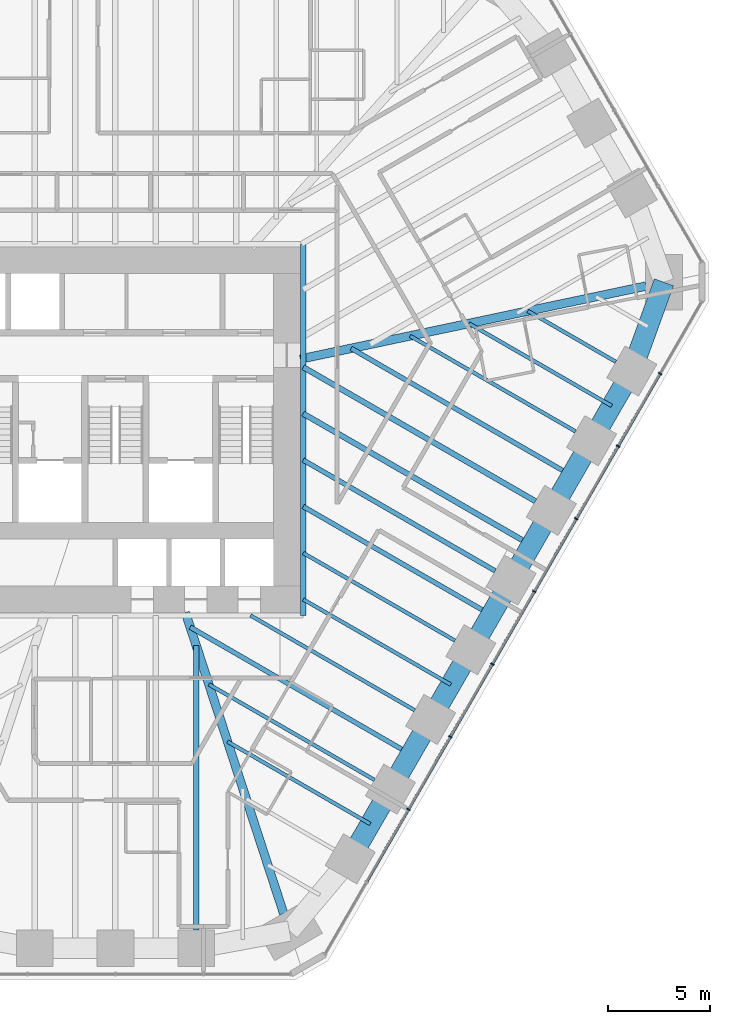
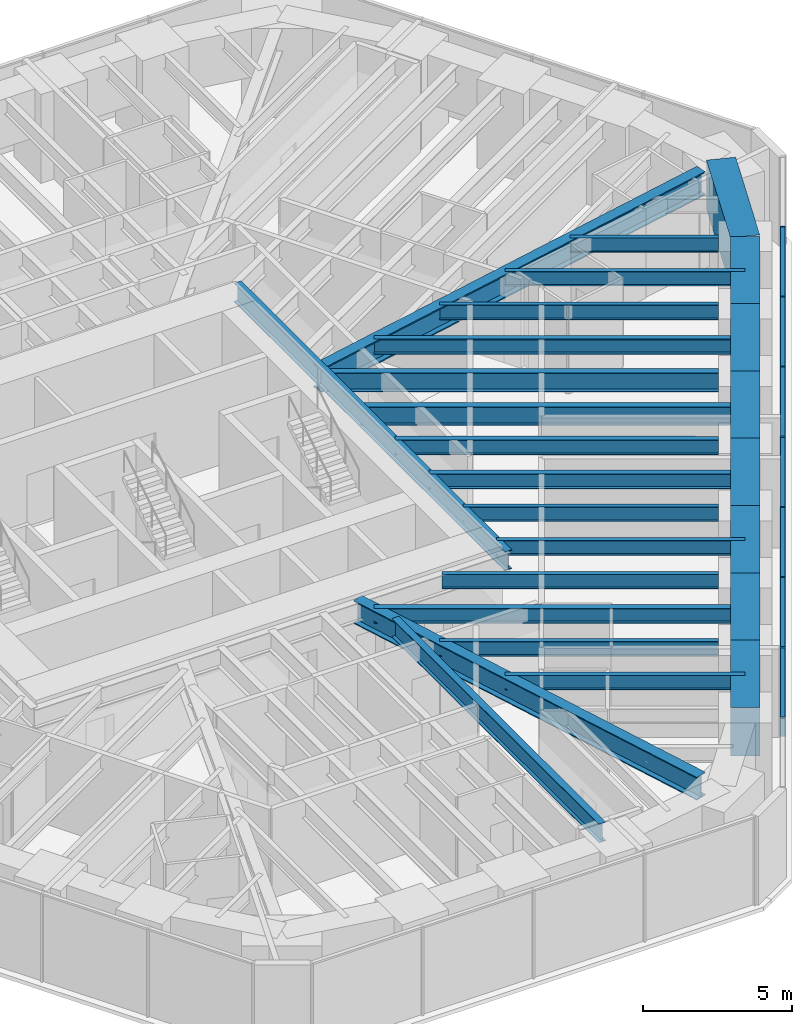
# One storey, part 5 of 17: 26 beams, 14 members, 1 element without a shape of its own.
"""IFC4 building model written with IfcOpenShell, lengths in metres."""

from ifc_helpers import new_model, si_unit, direction, frame, origin, origin_2d, place, context, subcontext, project, spatial, rectangle, i_section, extrude, material, material_profile, profile_set, type_object, element, aggregate, save


model = new_model("IFC4")

# Units and contexts
model_context = context("Model", 3, precision=1e-05, world=origin(), true_north=direction((0.0, 1.0)))
body_context = subcontext(model_context, "Body", "Model", "MODEL_VIEW")
ifc_project = project(units=[si_unit("LENGTHUNIT", "METRE"), si_unit("AREAUNIT", "SQUARE_METRE"), si_unit("VOLUMEUNIT", "CUBIC_METRE"), si_unit("PLANEANGLEUNIT", "RADIAN"), si_unit("MASSUNIT", "GRAM", prefix="KILO")], contexts=[model_context])

# Site, building, storey
site_placement = place(None, origin())
site = spatial("IfcSite", under=ifc_project, at=site_placement, CompositionType="ELEMENT")
building_placement = place(site_placement, origin())
building = spatial("IfcBuilding", under=site, at=building_placement, Name="Sandreach Pilgrim Tower", CompositionType="ELEMENT")
storey_placement = place(building_placement, frame((0.0, 0.0, 146.199951171875)))
storey = spatial("IfcBuildingStorey", under=building, at=storey_placement, Name="L36", CompositionType="ELEMENT", Elevation=146.199951171875)

# Curtain wall, members
ifc_material_1 = material(Name="Aluminium framed curtain wall", Category="aluminium")
curtain_wall_type = type_object("IfcCurtainWallType", Name="Hotel tower curtain wall", PredefinedType="NOTDEFINED", material=ifc_material_1)
curtain_wall_placement = place(storey_placement, origin())
curtain_wall = element("IfcCurtainWall", 1, at=curtain_wall_placement, inside=storey, type_object=curtain_wall_type, Name="CW-2 L36 SE", PredefinedType="NOTDEFINED")
ifc_material_2 = material(Name="Aluminium extrusion", Category="aluminium")
ifc_material_profile_1 = material_profile(ifc_material_2, rectangle(XDim=0.06494140625, YDim=0.179931640625, at=origin_2d()), Name="CW-2M 65X180")
ifc_profile_set_1 = profile_set([ifc_material_profile_1], Name="Aluminium extrusion")
member_type_1 = type_object("IfcMemberType", Name="CW-2 mullion", PredefinedType="MULLION", material=ifc_profile_set_1)
member_1_placement = place(storey_placement, frame((26.66748046875, 1.20166015625, 0.0), z_axis=(0.0, 0.0, 1.0), x_axis=(-0.5, -0.866025403784, 0.0)))
member_1 = element("IfcMember", 2, at=member_1_placement, type_object=member_type_1, Name="CW-2 mullion 2", PredefinedType="MULLION", context=body_context, shape_type="SweptSolid", body=[
    extrude(rectangle(XDim=0.06494140625, YDim=0.179931640625, at=origin_2d()), origin(), (0.0, 0.0, 1.0), 3.64013671875),
])
member_2_placement = place(storey_placement, frame((24.614013671875, -2.35498046875, 0.0), z_axis=(0.0, 0.0, 1.0), x_axis=(-0.5, -0.866025403784, 0.0)))
member_2 = element("IfcMember", 3, at=member_2_placement, type_object=member_type_1, Name="CW-2 mullion 3", PredefinedType="MULLION", context=body_context, shape_type="SweptSolid", body=[
    extrude(rectangle(XDim=0.06494140625, YDim=0.179931640625, at=origin_2d()), origin(), (0.0, 0.0, 1.0), 3.64013671875),
])
member_3_placement = place(storey_placement, frame((22.560302734375, -5.911865234375, 0.0), z_axis=(0.0, 0.0, 1.0), x_axis=(-0.5, -0.866025403784, 0.0)))
member_3 = element("IfcMember", 4, at=member_3_placement, type_object=member_type_1, Name="CW-2 mullion 4", PredefinedType="MULLION", context=body_context, shape_type="SweptSolid", body=[
    extrude(rectangle(XDim=0.06494140625, YDim=0.179931640625, at=origin_2d()), origin(), (0.0, 0.0, 1.0), 3.64013671875),
])
member_4_placement = place(storey_placement, frame((20.5068359375, -9.468505859375, 0.0), z_axis=(0.0, 0.0, 1.0), x_axis=(-0.5, -0.866025403784, 0.0)))
member_4 = element("IfcMember", 5, at=member_4_placement, type_object=member_type_1, Name="CW-2 mullion 5", PredefinedType="MULLION", context=body_context, shape_type="SweptSolid", body=[
    extrude(rectangle(XDim=0.06494140625, YDim=0.179931640625, at=origin_2d()), origin(), (0.0, 0.0, 1.0), 3.64013671875),
])
member_5_placement = place(storey_placement, frame((18.453369140625, -13.025146484375, 0.0), z_axis=(0.0, 0.0, 1.0), x_axis=(-0.5, -0.866025403784, 0.0)))
member_5 = element("IfcMember", 6, at=member_5_placement, type_object=member_type_1, Name="CW-2 mullion 6", PredefinedType="MULLION", context=body_context, shape_type="SweptSolid", body=[
    extrude(rectangle(XDim=0.06494140625, YDim=0.179931640625, at=origin_2d()), origin(), (0.0, 0.0, 1.0), 3.64013671875),
])
member_6_placement = place(storey_placement, frame((16.39990234375, -16.58203125, 0.0), z_axis=(0.0, 0.0, 1.0), x_axis=(-0.5, -0.866025403784, 0.0)))
member_6 = element("IfcMember", 7, at=member_6_placement, type_object=member_type_1, Name="CW-2 mullion 7", PredefinedType="MULLION", context=body_context, shape_type="SweptSolid", body=[
    extrude(rectangle(XDim=0.06494140625, YDim=0.179931640625, at=origin_2d()), origin(), (0.0, 0.0, 1.0), 3.64013671875),
])
member_7_placement = place(storey_placement, frame((14.346435546875, -20.138671875, 0.0), z_axis=(0.0, 0.0, 1.0), x_axis=(-0.5, -0.866025403784, 0.0)))
member_7 = element("IfcMember", 8, at=member_7_placement, type_object=member_type_1, Name="CW-2 mullion 8", PredefinedType="MULLION", context=body_context, shape_type="SweptSolid", body=[
    extrude(rectangle(XDim=0.06494140625, YDim=0.179931640625, at=origin_2d()), origin(), (0.0, 0.0, 1.0), 3.64013671875),
])
ifc_material_3 = material(Name="Aluminium extrusion", Category="aluminium")
ifc_material_profile_2 = material_profile(ifc_material_3, rectangle(XDim=0.139892578125, YDim=0.070068359375, at=origin_2d()), Name="CW-2T 140X70")
ifc_profile_set_2 = profile_set([ifc_material_profile_2], Name="Aluminium extrusion")
member_type_2 = type_object("IfcMemberType", Name="CW-2 transom", PredefinedType="USERDEFINED", material=ifc_profile_set_2)
member_8_placement = place(storey_placement, frame((26.651123046875, 1.173583984375, 3.60498046875), z_axis=(-0.499997818338, -0.866026663364, 0.0), x_axis=(0.866026663364, -0.499997818338, 0.0)))
member_8 = element("IfcMember", 9, at=member_8_placement, type_object=member_type_2, Name="CW-2 head transom 2", ObjectType="TRANSOM", PredefinedType="USERDEFINED", context=body_context, shape_type="SweptSolid", body=[
    extrude(rectangle(XDim=0.139892578125, YDim=0.070068359375, at=origin_2d()), origin(), (0.0, 0.0, 1.0), 4.0419921875),
])
member_9_placement = place(storey_placement, frame((24.59765625, -2.38330078125, 3.60498046875), z_axis=(-0.500023973715, -0.866011562111, 0.0), x_axis=(0.866011562111, -0.500023973715, 0.0)))
member_9 = element("IfcMember", 10, at=member_9_placement, type_object=member_type_2, Name="CW-2 head transom 3", ObjectType="TRANSOM", PredefinedType="USERDEFINED", context=body_context, shape_type="SweptSolid", body=[
    extrude(rectangle(XDim=0.139892578125, YDim=0.070068359375, at=origin_2d()), origin(), (0.0, 0.0, 1.0), 4.041748046875),
])
member_10_placement = place(storey_placement, frame((22.544189453125, -5.93994140625, 3.60498046875), z_axis=(-0.499997818338, -0.866026663364, 0.0), x_axis=(0.866026663364, -0.499997818338, 0.0)))
member_10 = element("IfcMember", 11, at=member_10_placement, type_object=member_type_2, Name="CW-2 head transom 4", ObjectType="TRANSOM", PredefinedType="USERDEFINED", context=body_context, shape_type="SweptSolid", body=[
    extrude(rectangle(XDim=0.139892578125, YDim=0.070068359375, at=origin_2d()), origin(), (0.0, 0.0, 1.0), 4.0419921875),
])
member_11_placement = place(storey_placement, frame((20.49072265625, -9.49658203125, 3.60498046875), z_axis=(-0.499997818338, -0.866026663364, 0.0), x_axis=(0.866026663364, -0.499997818338, 0.0)))
member_11 = element("IfcMember", 12, at=member_11_placement, type_object=member_type_2, Name="CW-2 head transom 5", ObjectType="TRANSOM", PredefinedType="USERDEFINED", context=body_context, shape_type="SweptSolid", body=[
    extrude(rectangle(XDim=0.139892578125, YDim=0.070068359375, at=origin_2d()), origin(), (0.0, 0.0, 1.0), 4.0419921875),
])
member_12_placement = place(storey_placement, frame((18.437255859375, -13.053466796875, 3.60498046875), z_axis=(-0.499997818338, -0.866026663364, 0.0), x_axis=(0.866026663364, -0.499997818338, 0.0)))
member_12 = element("IfcMember", 13, at=member_12_placement, type_object=member_type_2, Name="CW-2 head transom 6", ObjectType="TRANSOM", PredefinedType="USERDEFINED", context=body_context, shape_type="SweptSolid", body=[
    extrude(rectangle(XDim=0.139892578125, YDim=0.070068359375, at=origin_2d()), origin(), (0.0, 0.0, 1.0), 4.0419921875),
])
member_13_placement = place(storey_placement, frame((16.3837890625, -16.610107421875, 3.60498046875), z_axis=(-0.499997818338, -0.866026663364, 0.0), x_axis=(0.866026663364, -0.499997818338, 0.0)))
member_13 = element("IfcMember", 14, at=member_13_placement, type_object=member_type_2, Name="CW-2 head transom 7", ObjectType="TRANSOM", PredefinedType="USERDEFINED", context=body_context, shape_type="SweptSolid", body=[
    extrude(rectangle(XDim=0.139892578125, YDim=0.070068359375, at=origin_2d()), origin(), (0.0, 0.0, 1.0), 4.0419921875),
])
member_14_placement = place(storey_placement, frame((14.330322265625, -20.1669921875, 3.60498046875), z_axis=(-0.500023973715, -0.866011562111, 0.0), x_axis=(0.866011562111, -0.500023973715, 0.0)))
member_14 = element("IfcMember", 15, at=member_14_placement, type_object=member_type_2, Name="CW-2 head transom 8", ObjectType="TRANSOM", PredefinedType="USERDEFINED", context=body_context, shape_type="SweptSolid", body=[
    extrude(rectangle(XDim=0.139892578125, YDim=0.070068359375, at=origin_2d()), origin(), (0.0, 0.0, 1.0), 4.041748046875),
])
aggregate(curtain_wall, [member_1, member_2, member_3, member_4, member_5, member_6, member_7, member_8, member_9, member_10, member_11, member_12, member_13, member_14])

# Beams
ifc_material_4 = material(Name="Steel ASTM A992 Grade 50", Category="steel")
ifc_material_profile_3 = material_profile(ifc_material_4, i_section(OverallWidth=0.2666015625, OverallDepth=0.77978515625, WebThickness=0.0166015625, FlangeThickness=0.030029296875, at=origin_2d()), Name="W30X148")
ifc_profile_set_3 = profile_set([ifc_material_profile_3], Name="Steel ASTM A992 Grade 50")
beam_type_1 = type_object("IfcBeamType", Name="Core edge beam W30X148", PredefinedType="BEAM", material=ifc_profile_set_3)
beam_1_placement = place(storey_placement, frame((9.193359375, 7.54345703125, 3.250244140625), z_axis=(0.0, -1.0, 0.0), x_axis=(1.0, 0.0, 0.0)))
element("IfcBeam", 16, at=beam_1_placement, inside=storey, type_object=beam_type_1, Name="BM L36 CEE", PredefinedType="BEAM", context=body_context, shape_type="SweptSolid", body=[
    extrude(i_section(OverallWidth=0.2666015625, OverallDepth=0.77978515625, WebThickness=0.0166015625, FlangeThickness=0.030029296875, at=origin_2d()), origin(), (0.0, 0.0, 1.0), 18.186767578125),
])
ifc_material_5 = material(Name="Steel ASTM A992 Grade 50", Category="steel")
ifc_material_profile_4 = material_profile(ifc_material_5, i_section(OverallWidth=0.421630859375, OverallDepth=0.937255859375, WebThickness=0.0224609375, FlangeThickness=0.039794921875, at=origin_2d()), Name="W36X282")
ifc_profile_set_4 = profile_set([ifc_material_profile_4], Name="Steel ASTM A992 Grade 50")
beam_type_2 = type_object("IfcBeamType", Name="Corner girder W36X282", PredefinedType="BEAM", material=ifc_profile_set_4)
beam_2_placement = place(storey_placement, frame((8.238525390625, -25.23876953125, 3.17138671875), z_axis=(-0.310307109519, 0.950636364643, 0.0), x_axis=(-0.950636364643, -0.310307109519, 0.0)))
element("IfcBeam", 17, at=beam_2_placement, inside=storey, type_object=beam_type_2, Name="BM L36 CG22", PredefinedType="BEAM", context=body_context, shape_type="SweptSolid", body=[
    extrude(i_section(OverallWidth=0.421630859375, OverallDepth=0.937255859375, WebThickness=0.0224609375, FlangeThickness=0.039794921875, at=origin_2d()), origin(), (0.0, 0.0, 1.0), 15.504150390625),
])
ifc_material_6 = material(Name="Steel ASTM A992 Grade 50", Category="steel")
ifc_material_profile_5 = material_profile(ifc_material_6, i_section(OverallWidth=0.424072265625, OverallDepth=0.965087890625, WebThickness=0.028564453125, FlangeThickness=0.051025390625, at=origin_2d()), Name="W36X361")
ifc_profile_set_5 = profile_set([ifc_material_profile_5], Name="Steel ASTM A992 Grade 50")
beam_type_3 = type_object("IfcBeamType", Name="Corner girder W36X361", PredefinedType="BEAM", material=ifc_profile_set_5)
beam_3_placement = place(storey_placement, frame((25.976806640625, 5.484619140625, 3.157470703125), z_axis=(-0.978427882284, -0.206588671447, 0.0), x_axis=(0.206588671447, -0.978427882284, 0.0)))
element("IfcBeam", 18, at=beam_3_placement, inside=storey, type_object=beam_type_3, Name="BM L36 CG13", PredefinedType="BEAM", context=body_context, shape_type="SweptSolid", body=[
    extrude(i_section(OverallWidth=0.424072265625, OverallDepth=0.965087890625, WebThickness=0.028564453125, FlangeThickness=0.051025390625, at=origin_2d()), origin(), (0.0, 0.0, 1.0), 17.300048828125),
])
ifc_material_7 = material(Name="Steel ASTM A992 Grade 50", Category="steel")
ifc_material_profile_6 = material_profile(ifc_material_7, i_section(OverallWidth=0.1787109375, OverallDepth=0.60205078125, WebThickness=0.010986328125, FlangeThickness=0.014892578125, at=origin_2d()), Name="W24X62")
ifc_profile_set_6 = profile_set([ifc_material_profile_6], Name="Steel ASTM A992 Grade 50")
beam_type_4 = type_object("IfcBeamType", Name="Floor beam W24X62", PredefinedType="BEAM", material=ifc_profile_set_6)
beam_4_placement = place(storey_placement, frame((24.50439453125, 1.775390625, 3.339111328125), z_axis=(-0.866024645457, 0.500001313459, 0.0), x_axis=(-0.500001313459, -0.866024645457, 0.0)))
element("IfcBeam", 19, at=beam_4_placement, inside=storey, type_object=beam_type_4, Name="BM L36 F14", PredefinedType="BEAM", context=body_context, shape_type="SweptSolid", body=[
    extrude(i_section(OverallWidth=0.1787109375, OverallDepth=0.60205078125, WebThickness=0.010986328125, FlangeThickness=0.014892578125, at=origin_2d()), origin(), (0.0, 0.0, 1.0), 4.9765625),
])
beam_5_placement = place(storey_placement, frame((22.534423828125, -1.63671875, 3.339111328125), z_axis=(-0.866012351917, 0.500022605817, 0.0), x_axis=(-0.500022605817, -0.866012351917, 0.0)))
element("IfcBeam", 20, at=beam_5_placement, inside=storey, type_object=beam_type_4, Name="BM L36 F15", PredefinedType="BEAM", context=body_context, shape_type="SweptSolid", body=[
    extrude(i_section(OverallWidth=0.1787109375, OverallDepth=0.60205078125, WebThickness=0.010986328125, FlangeThickness=0.014892578125, at=origin_2d()), origin(), (0.0, 0.0, 1.0), 9.3642578125),
])
beam_6_placement = place(storey_placement, frame((16.62451171875, -11.873046875, 3.339111328125), z_axis=(-0.866017857595, 0.500013070155, 0.0), x_axis=(-0.500013070155, -0.866017857595, 0.0)))
element("IfcBeam", 21, at=beam_6_placement, inside=storey, type_object=beam_type_4, Name="BM L36 F18", PredefinedType="BEAM", context=body_context, shape_type="SweptSolid", body=[
    extrude(i_section(OverallWidth=0.1787109375, OverallDepth=0.60205078125, WebThickness=0.010986328125, FlangeThickness=0.014892578125, at=origin_2d()), origin(), (0.0, 0.0, 1.0), 8.580810546875),
])
beam_7_placement = place(storey_placement, frame((14.654541015625, -15.28515625, 3.339111328125), z_axis=(-0.866015659929, 0.500016876472, 0.0), x_axis=(-0.500016876472, -0.866015659929, 0.0)))
element("IfcBeam", 22, at=beam_7_placement, inside=storey, type_object=beam_type_4, Name="BM L36 F19", PredefinedType="BEAM", context=body_context, shape_type="SweptSolid", body=[
    extrude(i_section(OverallWidth=0.1787109375, OverallDepth=0.60205078125, WebThickness=0.010986328125, FlangeThickness=0.014892578125, at=origin_2d()), origin(), (0.0, 0.0, 1.0), 9.283447265625),
])
beam_8_placement = place(storey_placement, frame((12.6845703125, -18.697265625, 3.339111328125), z_axis=(-0.866012351917, 0.500022605817, 0.0), x_axis=(-0.500022605817, -0.866012351917, 0.0)))
element("IfcBeam", 23, at=beam_8_placement, inside=storey, type_object=beam_type_4, Name="BM L36 F20", PredefinedType="BEAM", context=body_context, shape_type="SweptSolid", body=[
    extrude(i_section(OverallWidth=0.1787109375, OverallDepth=0.60205078125, WebThickness=0.010986328125, FlangeThickness=0.014892578125, at=origin_2d()), origin(), (0.0, 0.0, 1.0), 9.3642578125),
])
beam_9_placement = place(storey_placement, frame((24.298828125, -0.380615234375, 3.339111328125), z_axis=(-0.866022864518, 0.500004398112, 0.0), x_axis=(-0.500004398112, -0.866022864518, 0.0)))
element("IfcBeam", 24, at=beam_9_placement, inside=storey, type_object=beam_type_4, Name="BM L36 FM14", PredefinedType="BEAM", context=body_context, shape_type="SweptSolid", body=[
    extrude(i_section(OverallWidth=0.1787109375, OverallDepth=0.60205078125, WebThickness=0.010986328125, FlangeThickness=0.014892578125, at=origin_2d()), origin(), (0.0, 0.0, 1.0), 8.0703125),
])
beam_10_placement = place(storey_placement, frame((16.4189453125, -14.029052734375, 3.339111328125), z_axis=(-0.866016009309, 0.500016271356, 0.0), x_axis=(-0.500016271356, -0.866016009309, 0.0)))
element("IfcBeam", 25, at=beam_10_placement, inside=storey, type_object=beam_type_4, Name="BM L36 FM18", PredefinedType="BEAM", context=body_context, shape_type="SweptSolid", body=[
    extrude(i_section(OverallWidth=0.1787109375, OverallDepth=0.60205078125, WebThickness=0.010986328125, FlangeThickness=0.014892578125, at=origin_2d()), origin(), (0.0, 0.0, 1.0), 8.343505859375),
])
beam_11_placement = place(storey_placement, frame((12.47900390625, -20.853271484375, 3.339111328125), z_axis=(-0.866017328257, 0.500013986963, 0.0), x_axis=(-0.500013986963, -0.866017328257, 0.0)))
element("IfcBeam", 26, at=beam_11_placement, inside=storey, type_object=beam_type_4, Name="BM L36 FM20", PredefinedType="BEAM", context=body_context, shape_type="SweptSolid", body=[
    extrude(i_section(OverallWidth=0.1787109375, OverallDepth=0.60205078125, WebThickness=0.010986328125, FlangeThickness=0.014892578125, at=origin_2d()), origin(), (0.0, 0.0, 1.0), 8.070556640625),
])
ifc_material_8 = material(Name="Steel ASTM A992 Grade 50", Category="steel")
ifc_material_profile_7 = material_profile(ifc_material_8, i_section(OverallWidth=0.23046875, OverallDepth=0.6171875, WebThickness=0.01318359375, FlangeThickness=0.022216796875, at=origin_2d()), Name="W24X94")
ifc_profile_set_7 = profile_set([ifc_material_profile_7], Name="Steel ASTM A992 Grade 50")
beam_type_5 = type_object("IfcBeamType", Name="Floor beam W24X94", PredefinedType="BEAM", material=ifc_profile_set_7)
beam_12_placement = place(storey_placement, frame((18.594482421875, -8.4609375, 3.33154296875), z_axis=(-0.866015926388, 0.500016414973, 0.0), x_axis=(-0.500016414973, -0.866015926388, 0.0)))
element("IfcBeam", 27, at=beam_12_placement, inside=storey, type_object=beam_type_5, Name="BM L36 F17", PredefinedType="BEAM", context=body_context, shape_type="SweptSolid", body=[
    extrude(i_section(OverallWidth=0.23046875, OverallDepth=0.6171875, WebThickness=0.01318359375, FlangeThickness=0.022216796875, at=origin_2d()), origin(), (0.0, 0.0, 1.0), 10.855712890625),
])
beam_13_placement = place(storey_placement, frame((22.328857421875, -3.792724609375, 3.33154296875), z_axis=(-0.866019150617, 0.500010830648, 0.0), x_axis=(-0.500010830648, -0.866019150617, 0.0)))
element("IfcBeam", 28, at=beam_13_placement, inside=storey, type_object=beam_type_5, Name="BM L36 FM15", PredefinedType="BEAM", context=body_context, shape_type="SweptSolid", body=[
    extrude(i_section(OverallWidth=0.23046875, OverallDepth=0.6171875, WebThickness=0.01318359375, FlangeThickness=0.022216796875, at=origin_2d()), origin(), (0.0, 0.0, 1.0), 12.458251953125),
])
beam_14_placement = place(storey_placement, frame((18.388916015625, -10.616943359375, 3.33154296875), z_axis=(-0.866024387147, 0.500001760863, 0.0), x_axis=(-0.500001760863, -0.866024387147, 0.0)))
element("IfcBeam", 29, at=beam_14_placement, inside=storey, type_object=beam_type_5, Name="BM L36 FM17", PredefinedType="BEAM", context=body_context, shape_type="SweptSolid", body=[
    extrude(i_section(OverallWidth=0.23046875, OverallDepth=0.6171875, WebThickness=0.01318359375, FlangeThickness=0.022216796875, at=origin_2d()), origin(), (0.0, 0.0, 1.0), 10.6181640625),
])
beam_15_placement = place(storey_placement, frame((14.448974609375, -17.441162109375, 3.33154296875), z_axis=(-0.866019150617, 0.500010830648, 0.0), x_axis=(-0.500010830648, -0.866019150617, 0.0)))
element("IfcBeam", 30, at=beam_15_placement, inside=storey, type_object=beam_type_5, Name="BM L36 FM19", PredefinedType="BEAM", context=body_context, shape_type="SweptSolid", body=[
    extrude(i_section(OverallWidth=0.23046875, OverallDepth=0.6171875, WebThickness=0.01318359375, FlangeThickness=0.022216796875, at=origin_2d()), origin(), (0.0, 0.0, 1.0), 12.458251953125),
])
ifc_material_9 = material(Name="Steel ASTM A992 Grade 50", Category="steel")
ifc_material_profile_8 = material_profile(ifc_material_9, i_section(OverallWidth=0.2666015625, OverallDepth=0.761962890625, WebThickness=0.014404296875, FlangeThickness=0.021484375, at=origin_2d()), Name="W30X116")
ifc_profile_set_8 = profile_set([ifc_material_profile_8], Name="Steel ASTM A992 Grade 50")
beam_type_6 = type_object("IfcBeamType", Name="Floor beam W30X116", PredefinedType="BEAM", material=ifc_profile_set_8)
beam_16_placement = place(storey_placement, frame((20.564453125, -5.048828125, 3.259033203125), z_axis=(-0.866022715736, 0.500004655807, 0.0), x_axis=(-0.500004655807, -0.866022715736, 0.0)))
element("IfcBeam", 31, at=beam_16_placement, inside=storey, type_object=beam_type_6, Name="BM L36 F16", PredefinedType="BEAM", context=body_context, shape_type="SweptSolid", body=[
    extrude(i_section(OverallWidth=0.2666015625, OverallDepth=0.761962890625, WebThickness=0.014404296875, FlangeThickness=0.021484375, at=origin_2d()), origin(), (0.0, 0.0, 1.0), 13.130126953125),
])
beam_17_placement = place(storey_placement, frame((3.955322265625, -26.0322265625, 3.259033203125), z_axis=(0.0, 1.0, 0.0), x_axis=(-1.0, 0.0, 0.0)))
element("IfcBeam", 32, at=beam_17_placement, inside=storey, type_object=beam_type_6, Name="BM L36 F23", PredefinedType="BEAM", context=body_context, shape_type="SweptSolid", body=[
    extrude(i_section(OverallWidth=0.2666015625, OverallDepth=0.761962890625, WebThickness=0.014404296875, FlangeThickness=0.021484375, at=origin_2d()), origin(), (0.0, 0.0, 1.0), 13.91552734375),
])
beam_18_placement = place(storey_placement, frame((20.35888671875, -7.204833984375, 3.259033203125), z_axis=(-0.866021609098, 0.500006572533, 0.0), x_axis=(-0.500006572533, -0.866021609098, 0.0)))
element("IfcBeam", 33, at=beam_18_placement, inside=storey, type_object=beam_type_6, Name="BM L36 FM16", PredefinedType="BEAM", context=body_context, shape_type="SweptSolid", body=[
    extrude(i_section(OverallWidth=0.2666015625, OverallDepth=0.761962890625, WebThickness=0.014404296875, FlangeThickness=0.021484375, at=origin_2d()), origin(), (0.0, 0.0, 1.0), 12.892822265625),
])
ifc_material_10 = material(Name="Concrete 10000 psi", Category="concrete")
ifc_material_profile_9 = material_profile(ifc_material_10, rectangle(XDim=1.0, YDim=2.0, at=origin_2d()), Name="RC1000X2000")
ifc_profile_set_9 = profile_set([ifc_material_profile_9], Name="Concrete 10000 psi")
beam_type_7 = type_object("IfcBeamType", Name="Spandrel beam RC1000X2000", PredefinedType="SPANDREL", material=ifc_profile_set_9)
beam_19_placement = place(storey_placement, frame((26.857177734375, 5.67041015625, 2.64013671875), z_axis=(-0.340453163563, -0.940261476091, 0.0), x_axis=(0.940261476091, -0.340453163563, 0.0)))
element("IfcBeam", 34, at=beam_19_placement, inside=storey, type_object=beam_type_7, Name="BM L36 SP13", PredefinedType="SPANDREL", context=body_context, shape_type="SweptSolid", body=[
    extrude(rectangle(XDim=1.0, YDim=2.0, at=origin_2d()), origin(), (0.0, 0.0, 1.0), 4.62109375),
])
for number, where, z_axis, x_axis, name in (
    (35, (25.283935546875, 1.325439453125, 2.64013671875), (-0.49999779889, -0.866026674592, 0.0), (0.866026674592, -0.49999779889, 0.0), "BM L36 SP14"),
    (36, (23.31396484375, -2.086669921875, 2.64013671875), (-0.49999779889, -0.866026674592, 0.0), (0.866026674592, -0.49999779889, 0.0), "BM L36 SP15"),
    (37, (21.343994140625, -5.498779296875, 2.64013671875), (-0.49999779889, -0.866026674592, 0.0), (0.866026674592, -0.49999779889, 0.0), "BM L36 SP16"),
    (38, (19.3740234375, -8.910888671875, 2.64013671875), (-0.49999779889, -0.866026674592, 0.0), (0.866026674592, -0.49999779889, 0.0), "BM L36 SP17"),
    (39, (17.404052734375, -12.322998046875, 2.64013671875), (-0.49999779889, -0.866026674592, 0.0), (0.866026674592, -0.49999779889, 0.0), "BM L36 SP18"),
    (40, (15.43408203125, -15.735107421875, 2.64013671875), (-0.49999779889, -0.866026674592, 0.0), (0.866026674592, -0.49999779889, 0.0), "BM L36 SP19"),
    (41, (13.464111328125, -19.147216796875, 2.64013671875), (-0.49999779889, -0.866026674592, 0.0), (0.866026674592, -0.49999779889, 0.0), "BM L36 SP20"),
):
    element("IfcBeam", number, at=place(storey_placement, frame(where, z_axis=z_axis, x_axis=x_axis)), inside=storey, type_object=beam_type_7, Name=name, PredefinedType="SPANDREL", context=body_context, shape_type="SweptSolid", body=[
        extrude(rectangle(XDim=1.0, YDim=2.0, at=origin_2d()), origin(), (0.0, 0.0, 1.0), 3.93994140625),
    ])

save(model, "model.ifc")
